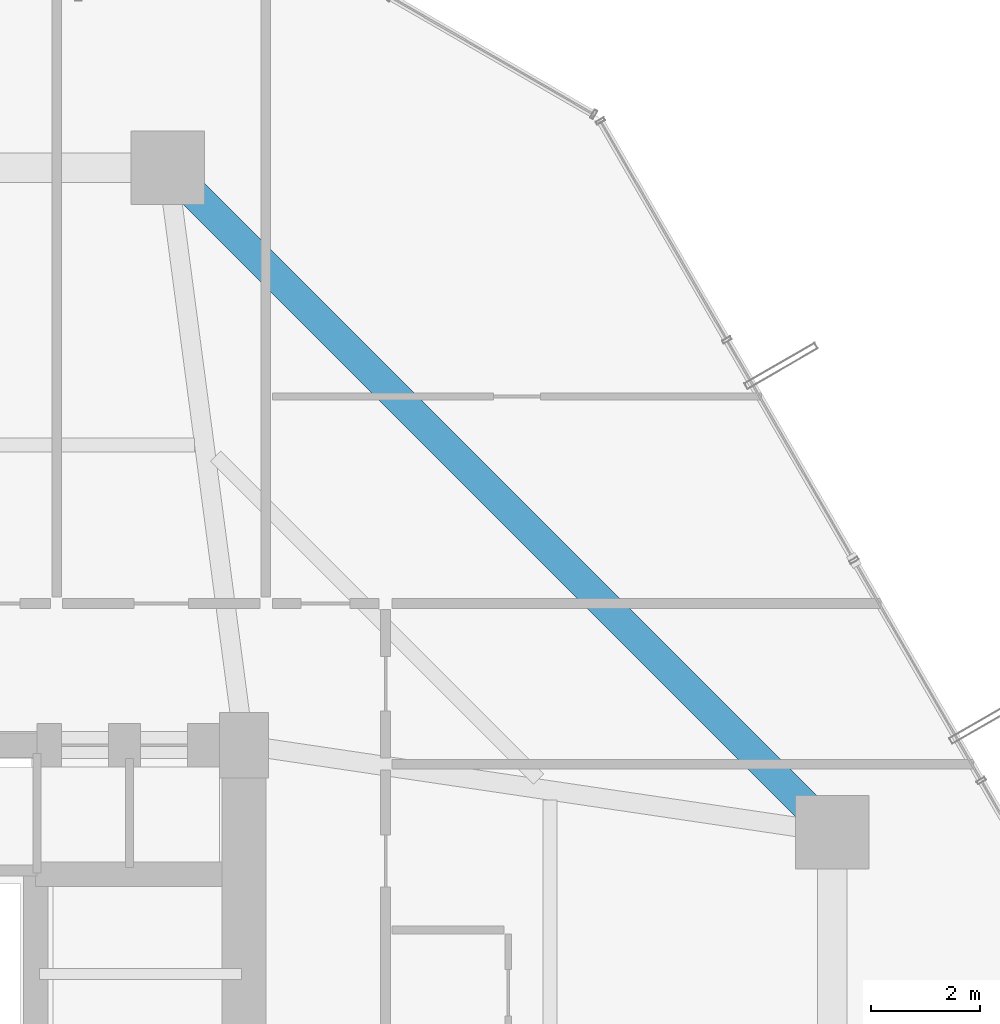
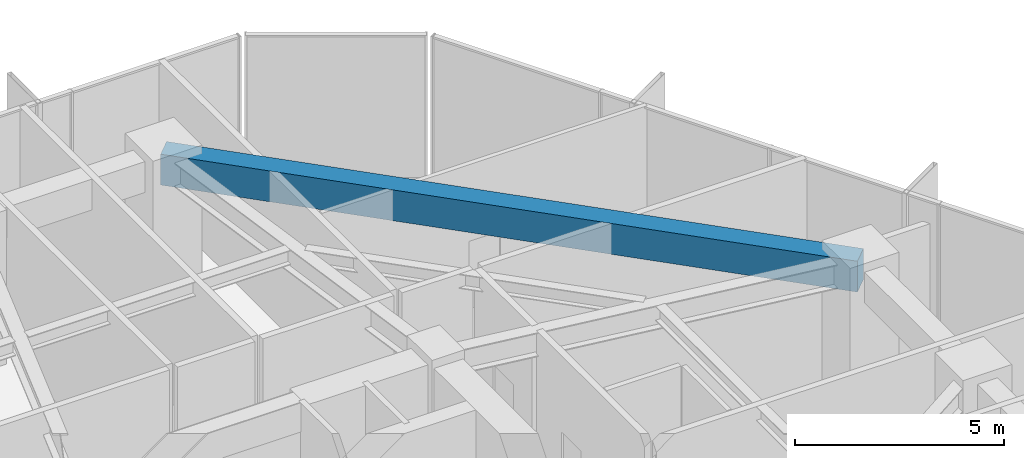
# One storey, part 30 of 39: 1 beam.
"""IFC4 building model written with IfcOpenShell, lengths in metres."""

import ifcopenshell
import ifcopenshell.guid

model = None  # the IFC model being written
_history = None  # IfcOwnerHistory: only IFC2X3 demands one
_inside = {}  # id of a spatial element -> (the spatial element, [elements in it])
_under = {}  # id of a project, library or spatial element -> (it, [spatial elements below it])
_declared = {}  # id of a project -> (the project, [libraries it declares])
_typed = {}  # id of a type object -> (the type object, [elements of that type])
_made_of = {}  # id of a material, layer set ... -> (it, [elements and type objects made of it])


def new_model(schema):
    """Start an empty IFC model of exactly this schema.

    Asked for "IFC4X3", IfcOpenShell would pick the latest addendum, in which some entities
    have other attributes; the version numbers below select the first issue.
    IFC2X3 requires an IfcOwnerHistory on every rooted entity: one is made here for all.
    """
    global model, _history
    if schema == "IFC4X3":
        model = ifcopenshell.file(schema_version=(4, 3, 0, 0))
    else:
        model = ifcopenshell.file(schema=schema)
    _inside.clear()
    _under.clear()
    _declared.clear()
    _typed.clear()
    _made_of.clear()
    _history = None
    if model.schema == "IFC2X3":
        org = make("IfcOrganization", Name="unknown")
        user = make(
            "IfcPersonAndOrganization",
            ThePerson=make("IfcPerson", FamilyName="unknown"),
            TheOrganization=org,
        )
        app = make(
            "IfcApplication",
            ApplicationDeveloper=org,
            Version="unknown",
            ApplicationFullName="unknown",
            ApplicationIdentifier="unknown",
        )
        _history = make(
            "IfcOwnerHistory",
            OwningUser=user,
            OwningApplication=app,
            ChangeAction="ADDED",
            CreationDate=0,
        )
    return model


def make(cls, **values):
    """One entity of the class cls with the attributes given. An attribute that is None is left unset."""
    return model.create_entity(
        cls, **{name: value for name, value in values.items() if value is not None}
    )


def rooted(cls, **values):
    """An entity with a GlobalId (a new one), such as an element, a storey or a relation."""
    return make(cls, GlobalId=ifcopenshell.guid.new(), OwnerHistory=_history, **values)


def si_unit(unit_type, name, prefix=None):
    """IfcSIUnit, for example si_unit("LENGTHUNIT", "METRE", prefix="MILLI")."""
    return make("IfcSIUnit", UnitType=unit_type, Prefix=prefix, Name=name)


def assignment(units):
    """IfcUnitAssignment: the units of a project."""
    return None if units is None else make("IfcUnitAssignment", Units=units)


def point(xyz):
    """IfcCartesianPoint."""
    return None if xyz is None else make("IfcCartesianPoint", Coordinates=xyz)


def direction(xyz):
    """IfcDirection."""
    return None if xyz is None else make("IfcDirection", DirectionRatios=xyz)


def frame(location, z_axis=None, x_axis=None):
    """IfcAxis2Placement3D, a coordinate frame: its origin and axes. An axis left out is left unset."""
    return make(
        "IfcAxis2Placement3D",
        Location=point(location),
        Axis=direction(z_axis),
        RefDirection=direction(x_axis),
    )


def frame_2d(location, x_axis=None):
    """IfcAxis2Placement2D, a coordinate frame in the plane: its origin and x axis."""
    return make(
        "IfcAxis2Placement2D", Location=point(location), RefDirection=direction(x_axis)
    )


def origin():
    """The frame at (0, 0, 0) with its axes left unset."""
    return frame((0.0, 0.0, 0.0))


def origin_2d():
    """The frame at (0, 0) in the plane with its x axis left unset."""
    return frame_2d((0.0, 0.0))


def place(relative_to, where):
    """IfcLocalPlacement: puts the frame where relative to a parent placement (None: the world)."""
    return make(
        "IfcLocalPlacement", PlacementRelTo=relative_to, RelativePlacement=where
    )


def context(
    kind, dimensions, precision=None, world=None, true_north=None, identifier=None
):
    """IfcGeometricRepresentationContext, for example the 3D "Model" context."""
    return make(
        "IfcGeometricRepresentationContext",
        ContextIdentifier=identifier,
        ContextType=kind,
        CoordinateSpaceDimension=dimensions,
        Precision=precision,
        WorldCoordinateSystem=world,
        TrueNorth=true_north,
    )


def subcontext(parent, identifier, kind, view, scale=None):
    """IfcGeometricRepresentationSubContext, for example "Body" below "Model"."""
    return make(
        "IfcGeometricRepresentationSubContext",
        ContextIdentifier=identifier,
        ContextType=kind,
        ParentContext=parent,
        TargetScale=scale,
        TargetView=view,
    )


def project(units=None, contexts=None):
    """IfcProject with its units and contexts."""
    return rooted(
        "IfcProject",
        Name="project",
        RepresentationContexts=contexts,
        UnitsInContext=assignment(units),
    )


def spatial(cls, under=None, at=None, **own):
    """A site, building, storey or space (cls), placed at a placement, below another one or the project."""
    s = rooted(cls, ObjectPlacement=at, **own)
    if under is not None:
        _under.setdefault(under.id(), (under, []))[1].append(s)
    return s


def profile(cls, at=None, kind="AREA", **sizes):
    """A parametric profile (cls). Its sizes go by their IFC names, for example OverallWidth=200.0."""
    return make(cls, ProfileType=kind, Position=at, **sizes)


def rectangle(**sizes):
    """IfcRectangleProfileDef."""
    return profile("IfcRectangleProfileDef", **sizes)


def extrude(swept, where, along, depth):
    """IfcExtrudedAreaSolid: the profile swept, set in the frame where, extruded along a direction by depth."""
    return make(
        "IfcExtrudedAreaSolid",
        SweptArea=swept,
        Position=where,
        ExtrudedDirection=direction(along),
        Depth=depth,
    )


def shape(context_of_items, identifier, shape_type, items):
    """IfcShapeRepresentation: the items that make up one representation, for example the "Body"."""
    return make(
        "IfcShapeRepresentation",
        ContextOfItems=context_of_items,
        RepresentationIdentifier=identifier,
        RepresentationType=shape_type,
        Items=items,
    )


def material(Name=None, Category=None):
    """IfcMaterial."""
    return make("IfcMaterial", Name=Name, Category=Category)


def material_profile(
    of_material, cross_section, Name=None, Category=None, Priority=None
):
    """IfcMaterialProfile: a cross section and its material."""
    return make(
        "IfcMaterialProfile",
        Name=Name,
        Material=of_material,
        Profile=cross_section,
        Priority=Priority,
        Category=Category,
    )


def profile_set(profiles, Name=None, composite=None):
    """IfcMaterialProfileSet."""
    return make(
        "IfcMaterialProfileSet",
        Name=Name,
        MaterialProfiles=profiles,
        CompositeProfile=composite,
    )


def made_of(thing, what):
    """Note that an element or type object is made of a material, layer set ...; save() writes the relation."""
    if what is not None:
        _made_of.setdefault(what.id(), (what, []))[1].append(thing)
    return thing


def type_object(cls, material=None, **own):
    """A type object (cls), such as IfcWallType, which elements share."""
    return made_of(rooted(cls, **own), material)


def element(
    cls,
    number,
    at=None,
    inside=None,
    cuts=None,
    type_object=None,
    material=None,
    context=None,
    identifier="Body",
    shape_type=None,
    held_by="IfcProductDefinitionShape",
    body=None,
    shapes=None,
    **own,
):
    """One element of the class cls, such as IfcWall. Its Tag is "e" and its number.

    at: its placement. inside: the storey or other place that contains it. cuts: it is an
    opening in that element (IfcRelVoidsElement). A single representation is given by context,
    identifier, shape_type and body (its items); several are given by shapes. held_by: the class
    of the entity that holds the representations. save() writes the other relations.
    """
    e = rooted(cls, Tag="e%d" % number, ObjectPlacement=at, **own)
    if body is not None:
        shapes = [shape(context, identifier, shape_type, body)]
    if shapes is not None:
        e.Representation = make(held_by, Representations=shapes)
    if inside is not None:
        _inside.setdefault(inside.id(), (inside, []))[1].append(e)
    if cuts is not None:
        rooted(
            "IfcRelVoidsElement", RelatingBuildingElement=cuts, RelatedOpeningElement=e
        )
    if type_object is not None:
        _typed.setdefault(type_object.id(), (type_object, []))[1].append(e)
    return made_of(e, material)


def aggregate(whole, parts):
    """IfcRelAggregates: a whole, such as a stair, and the parts it consists of."""
    return rooted("IfcRelAggregates", RelatingObject=whole, RelatedObjects=parts)


def save(model, path):
    """Write the relations noted so far, then the file.

    IfcRelAggregates (storeys below a building ...), IfcRelContainedInSpatialStructure (elements
    in a storey), IfcRelDefinesByType, IfcRelAssociatesMaterial and IfcRelDeclares: one each for
    every whole, place, type object, material and project.
    """
    for whole, parts in _under.values():
        aggregate(whole, parts)
    for where, things in _inside.values():
        rooted(
            "IfcRelContainedInSpatialStructure",
            RelatedElements=things,
            RelatingStructure=where,
        )
    for kind, things in _typed.values():
        rooted("IfcRelDefinesByType", RelatedObjects=things, RelatingType=kind)
    for what, things in _made_of.values():
        rooted("IfcRelAssociatesMaterial", RelatedObjects=things, RelatingMaterial=what)
    for by, libraries in _declared.values():
        rooted("IfcRelDeclares", RelatingContext=by, RelatedDefinitions=libraries)
    model.write(path)


model = new_model("IFC4")

# Units and contexts
model_context = context("Model", 3, precision=1e-05, world=origin(), true_north=direction((0.0, 1.0)))
body_context = subcontext(model_context, "Body", "Model", "MODEL_VIEW")
ifc_project = project(units=[si_unit("LENGTHUNIT", "METRE"), si_unit("AREAUNIT", "SQUARE_METRE"), si_unit("VOLUMEUNIT", "CUBIC_METRE"), si_unit("PLANEANGLEUNIT", "RADIAN"), si_unit("MASSUNIT", "GRAM", prefix="KILO")], contexts=[model_context])

# Site, building, storey
site_placement = place(None, origin())
site = spatial("IfcSite", under=ifc_project, at=site_placement, CompositionType="ELEMENT")
building_placement = place(site_placement, origin())
building = spatial("IfcBuilding", under=site, at=building_placement, Name="Veraguas Prism Commons", CompositionType="ELEMENT")
storey_placement = place(building_placement, frame((0.0, 0.0, 22.800048828125)))
storey = spatial("IfcBuildingStorey", under=building, at=storey_placement, Name="L05", CompositionType="ELEMENT", Elevation=22.800048828125)

# Beam
ifc_material = material(Name="Concrete C50/60", Category="concrete")
ifc_material_profile = material_profile(ifc_material, rectangle(XDim=0.550048828125, YDim=0.89990234375, at=origin_2d()), Name="RC550X900")
ifc_profile_set = profile_set([ifc_material_profile], Name="Concrete C50/60")
beam_type = type_object("IfcBeamType", Name="Perimeter Spandrel Lower RC 550x900", PredefinedType="SPANDREL", material=ifc_profile_set)
beam_placement = place(storey_placement, frame((41.60009765625, 29.39990234375, 3.800048828125), z_axis=(-0.707106781187, 0.707106781187, 0.0), x_axis=(-0.707106781187, -0.707106781187, 0.0)))
element("IfcBeam", 1, at=beam_placement, inside=storey, type_object=beam_type, Name="Perimeter Spandrel Beam L05-SP03", PredefinedType="SPANDREL", context=body_context, shape_type="SweptSolid", body=[
    extrude(rectangle(XDim=0.550048828125, YDim=0.89990234375, at=origin_2d()), origin(), (0.0, 0.0, 1.0), 17.253662109375),
])

save(model, "model.ifc")
